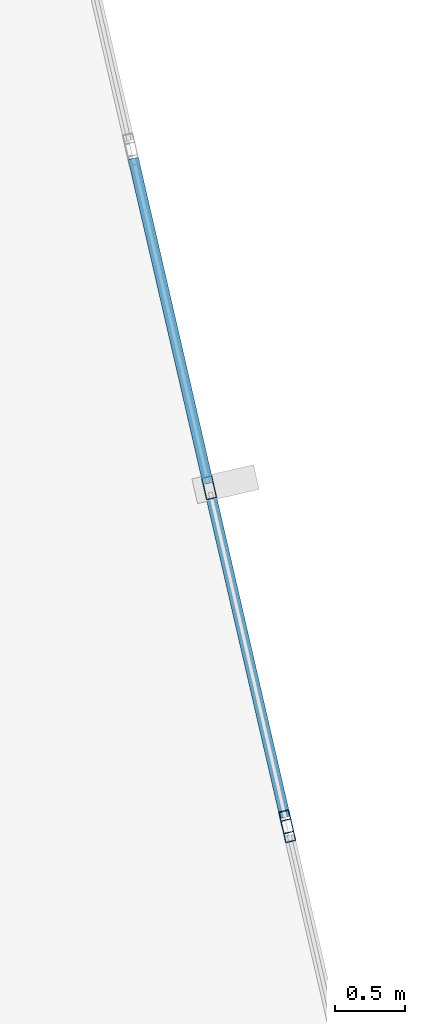
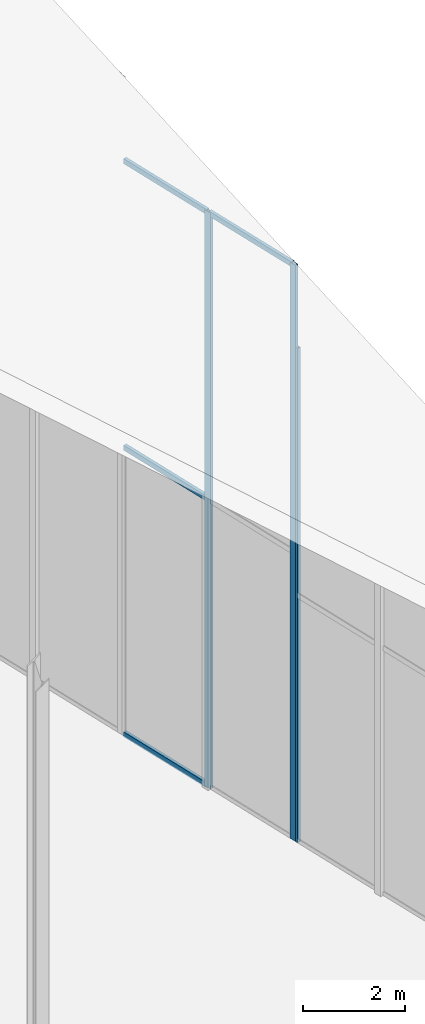
# One storey, part 62 of 74: 7 members, 2 elements without a shape of their own.
"""IFC4 building model written with IfcOpenShell, lengths in metres."""

from ifc_helpers import new_model, si_unit, direction, frame, origin, origin_2d, place, context, subcontext, project, spatial, hollow_rectangle, extrude, material, layer, layer_set, material_profile, profile_set, type_object, element, aggregate, save


model = new_model("IFC4")

# Units and contexts
model_context = context("Model", 3, precision=1e-05, world=origin(), true_north=direction((0.0, 1.0)))
body_context = subcontext(model_context, "Body", "Model", "MODEL_VIEW")
ifc_project = project(units=[si_unit("LENGTHUNIT", "METRE"), si_unit("AREAUNIT", "SQUARE_METRE"), si_unit("VOLUMEUNIT", "CUBIC_METRE"), si_unit("PLANEANGLEUNIT", "RADIAN"), si_unit("MASSUNIT", "GRAM", prefix="KILO")], contexts=[model_context])

# Site, building, storey
site_placement = place(None, origin())
site = spatial("IfcSite", under=ifc_project, at=site_placement, CompositionType="ELEMENT")
building_placement = place(site_placement, origin())
building = spatial("IfcBuilding", under=site, at=building_placement, Name="Keshet Zoharim Tower", CompositionType="ELEMENT")
storey_placement = place(building_placement, frame((0.0, 0.0, 320.0)))
storey = spatial("IfcBuildingStorey", under=building, at=storey_placement, Name="RF", CompositionType="ELEMENT", Elevation=320.0)

# Curtain wall, members
ifc_material = material(Name="Aluminium 6063-T6", Category="aluminium")
ifc_layer = layer(ifc_material, 0.260009765625)
ifc_layer_set = layer_set([ifc_layer], Name="Aluminium 6063-T6")
curtain_wall_type = type_object("IfcCurtainWallType", Name="CW-SYS-06", PredefinedType="NOTDEFINED", material=ifc_layer_set)
curtain_wall_1_placement = place(storey_placement, origin())
curtain_wall_1 = element("IfcCurtainWall", 1, at=curtain_wall_1_placement, inside=storey, type_object=curtain_wall_type, Name="Slanted Crown Curtain Wall 18", PredefinedType="NOTDEFINED")
ifc_material_profile_1 = material_profile(ifc_material, hollow_rectangle(XDim=0.074951171875, YDim=0.159912109375, WallThickness=0.00390625, at=origin_2d()), Name="MUL-75x160")
ifc_profile_set_1 = profile_set([ifc_material_profile_1], Name="Aluminium 6063-T6")
member_type_1 = type_object("IfcMemberType", Name="CWM-M15", PredefinedType="MULLION", material=ifc_profile_set_1)
member_1_placement = place(storey_placement, frame((41.025390625, 45.12353515625, 0.0), z_axis=(0.0, 0.0, 1.0), x_axis=(0.974418463235, 0.224741314643, 0.0)))
member_1 = element("IfcMember", 2, at=member_1_placement, type_object=member_type_1, Name="CW-06 mullion 2", PredefinedType="MULLION", context=body_context, shape_type="SweptSolid", body=[
    extrude(hollow_rectangle(XDim=0.074951171875, YDim=0.159912109375, WallThickness=0.00390625, at=origin_2d()), origin(), (0.0, 0.0, 1.0), 13.735107421875),
])
member_2_placement = place(storey_placement, frame((41.57373046875, 42.74658203125, 0.0), z_axis=(0.0, 0.0, 1.0), x_axis=(0.974418463235, 0.224741314643, 0.0)))
member_2 = element("IfcMember", 3, at=member_2_placement, type_object=member_type_1, Name="CW-06 mullion 3", PredefinedType="MULLION", context=body_context, shape_type="SweptSolid", body=[
    extrude(hollow_rectangle(XDim=0.074951171875, YDim=0.159912109375, WallThickness=0.00390625, at=origin_2d()), origin(), (0.0, 0.0, 1.0), 13.735107421875),
])

# Curtain wall, member
curtain_wall_2_placement = place(storey_placement, origin())
curtain_wall_2 = element("IfcCurtainWall", 4, at=curtain_wall_2_placement, inside=storey, type_object=curtain_wall_type, Name="Slanted Crown Curtain Wall 19", PredefinedType="NOTDEFINED")
member_3_placement = place(storey_placement, frame((41.58837890625, 42.683349609375, 0.0), z_axis=(0.0, 0.0, 1.0), x_axis=(0.974384378225, 0.224889047025, 0.0)))
member_3 = element("IfcMember", 5, at=member_3_placement, type_object=member_type_1, Name="CW-06 mullion 1", PredefinedType="MULLION", context=body_context, shape_type="SweptSolid", body=[
    extrude(hollow_rectangle(XDim=0.074951171875, YDim=0.159912109375, WallThickness=0.00390625, at=origin_2d()), origin(), (0.0, 0.0, 1.0), 11.7900390625),
])
aggregate(curtain_wall_2, [member_3])

# Member
ifc_material_profile_2 = material_profile(ifc_material, hollow_rectangle(XDim=0.074951171875, YDim=0.1201171875, WallThickness=0.00390625, at=origin_2d()), Name="TRN-75x120")
ifc_profile_set_2 = profile_set([ifc_material_profile_2], Name="Aluminium 6063-T6")
member_type_2 = type_object("IfcMemberType", Name="CWT-T12", PredefinedType="USERDEFINED", material=ifc_profile_set_2)
member_4_placement = place(storey_placement, frame((40.484619140625, 47.46875, 0.032470703125), z_axis=(0.224784406129, -0.974408523547, 0.0), x_axis=(0.974408523547, 0.224784406129, 0.0)))
member_4 = element("IfcMember", 6, at=member_4_placement, type_object=member_type_2, Name="CW-06 transom 1.1", ObjectType="TRANSOM", PredefinedType="USERDEFINED", context=body_context, shape_type="SweptSolid", body=[
    extrude(hollow_rectangle(XDim=0.074951171875, YDim=0.1201171875, WallThickness=0.00390625, at=origin_2d()), origin(), (0.0, 0.0, 1.0), 2.374267578125),
])

member_5_placement = place(storey_placement, frame((40.484619140625, 47.46875, 6.867919921875), z_axis=(0.224784406129, -0.974408523547, 0.0), x_axis=(0.974408523547, 0.224784406129, 0.0)))
member_5 = element("IfcMember", 7, at=member_5_placement, type_object=member_type_2, Name="CW-06 transom 1.2", ObjectType="TRANSOM", PredefinedType="USERDEFINED", context=body_context, shape_type="SweptSolid", body=[
    extrude(hollow_rectangle(XDim=0.074951171875, YDim=0.1201171875, WallThickness=0.00390625, at=origin_2d()), origin(), (0.0, 0.0, 1.0), 2.374267578125),
])

member_6_placement = place(storey_placement, frame((40.484619140625, 47.46875, 13.702392578125), z_axis=(0.224784406129, -0.974408523547, 0.0), x_axis=(0.974408523547, 0.224784406129, 0.0)))
member_6 = element("IfcMember", 8, at=member_6_placement, type_object=member_type_2, Name="CW-06 transom 1.3", ObjectType="TRANSOM", PredefinedType="USERDEFINED", context=body_context, shape_type="SweptSolid", body=[
    extrude(hollow_rectangle(XDim=0.074951171875, YDim=0.1201171875, WallThickness=0.00390625, at=origin_2d()), origin(), (0.0, 0.0, 1.0), 2.374267578125),
])

member_7_placement = place(storey_placement, frame((41.03271484375, 45.091796875, 13.702392578125), z_axis=(0.224784406129, -0.974408523547, 0.0), x_axis=(0.974408523547, 0.224784406129, 0.0)))
member_7 = element("IfcMember", 9, at=member_7_placement, type_object=member_type_2, Name="CW-06 transom 2.3", ObjectType="TRANSOM", PredefinedType="USERDEFINED", context=body_context, shape_type="SweptSolid", body=[
    extrude(hollow_rectangle(XDim=0.074951171875, YDim=0.1201171875, WallThickness=0.00390625, at=origin_2d()), origin(), (0.0, 0.0, 1.0), 2.374267578125),
])

aggregate(curtain_wall_1, [member_1, member_2, member_4, member_5, member_6, member_7])

save(model, "model.ifc")
